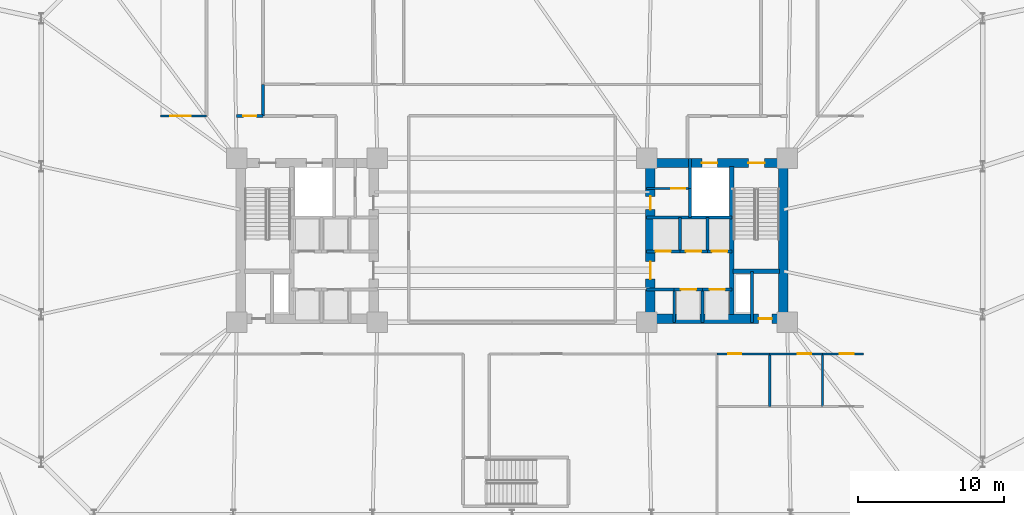
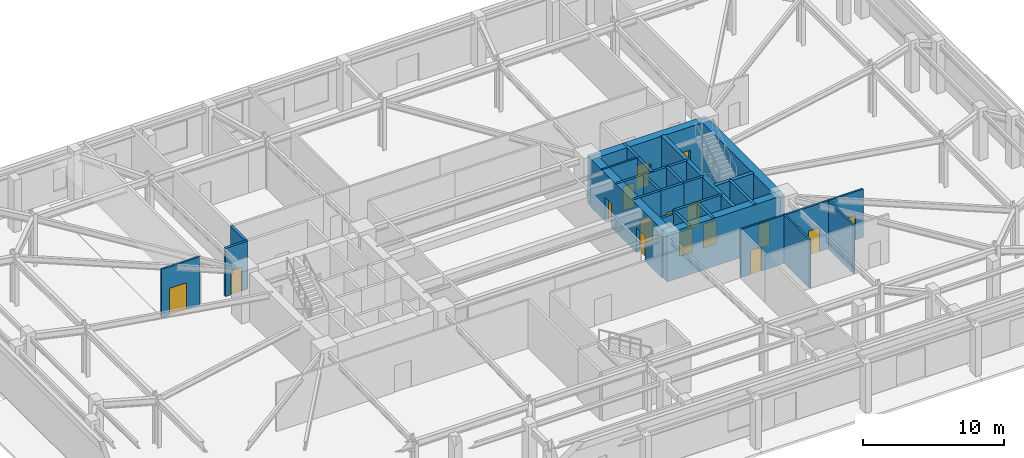
# One storey, part 10 of 18: 29 walls, 16 doors, 16 openings.
"""IFC4 building model written with IfcOpenShell, lengths in metres."""

from ifc_helpers import new_model, si_unit, direction, frame, frame_2d, origin, place, context, subcontext, project, spatial, rectangle, extrude, material, layer, layer_set, type_object, element, fill, save


model = new_model("IFC4")

# Units and contexts
model_context = context("Model", 3, precision=1e-05, world=origin(), true_north=direction((0.0, 1.0)))
body_context = subcontext(model_context, "Body", "Model", "MODEL_VIEW")
ifc_project = project(units=[si_unit("LENGTHUNIT", "METRE"), si_unit("AREAUNIT", "SQUARE_METRE"), si_unit("VOLUMEUNIT", "CUBIC_METRE"), si_unit("PLANEANGLEUNIT", "RADIAN"), si_unit("MASSUNIT", "GRAM", prefix="KILO")], contexts=[model_context])

# Site, building, storey
site_placement = place(None, origin())
site = spatial("IfcSite", under=ifc_project, at=site_placement, CompositionType="ELEMENT")
building_placement = place(site_placement, origin())
building = spatial("IfcBuilding", under=site, at=building_placement, Name="Qobustan Lattice House", CompositionType="ELEMENT")
storey_placement = place(building_placement, origin())
storey = spatial("IfcBuildingStorey", under=building, at=storey_placement, Name="L00", CompositionType="ELEMENT", Elevation=0.0)

# Wall, openings, doors
ifc_material_1 = material(Name="Concrete C60/75", Category="concrete")
ifc_layer_1 = layer(ifc_material_1, 0.639892578125)
ifc_layer_set_1 = layer_set([ifc_layer_1], Name="Concrete C60/75")
wall_type_1 = type_object("IfcWallType", Name="WAL-CORE-640", PredefinedType="SHEAR", material=ifc_layer_set_1)
wall_1_placement = place(storey_placement, frame((9.199951171875, 5.280029296875, 0.0), z_axis=(0.0, 0.0, 1.0), x_axis=(1.0, 0.0, 0.0)))
wall_1 = element("IfcWall", 1, at=wall_1_placement, inside=storey, type_object=wall_type_1, Name="L00 split-core shear wall CE-N", PredefinedType="SHEAR", context=body_context, shape_type="SweptSolid", body=[
    extrude(rectangle(XDim=9.60009765625, YDim=0.639892578125, at=frame_2d((4.800048828125, 0.0))), origin(), (0.0, 0.0, 1.0), 4.169921875),
])
opening_1_placement = place(wall_1_placement, frame((6.949951171875, 0.0, 0.0)))
opening_1 = element("IfcOpeningElement", 2, at=opening_1_placement, cuts=wall_1, Name="Opening SD-01", PredefinedType="OPENING", context=body_context, shape_type="SweptSolid", body=[
    extrude(rectangle(XDim=1.10009765625, YDim=2.14990234375, at=frame_2d((0.550048828125, 1.074951171875))), frame((0.0, 0.329833984375, 0.0), z_axis=(0.0, -1.0, 0.0), x_axis=(1.0, 0.0, 0.0)), (0.0, 0.0, 1.0), 0.659912109375),
])
opening_2_placement = place(wall_1_placement, frame((3.77490234375, 0.0, 0.0)))
opening_2 = element("IfcOpeningElement", 3, at=opening_2_placement, cuts=wall_1, Name="Opening LD-01", PredefinedType="OPENING", context=body_context, shape_type="SweptSolid", body=[
    extrude(rectangle(XDim=1.050048828125, YDim=2.10009765625, at=frame_2d((0.52490234375, 1.050048828125))), frame((0.0, 0.329833984375, 0.0), z_axis=(0.0, -1.0, 0.0), x_axis=(1.0, 0.0, 0.0)), (0.0, 0.0, 1.0), 0.659912109375),
])
ifc_material_2 = material(Name="Persian walnut timber and steel frame door", Category="steel")
door_type_1 = type_object("IfcDoorType", Name="DOR-LIFT-LD-1050x2100", OperationType="NOTDEFINED", PredefinedType="DOOR", material=ifc_material_2)
door_1_placement = place(opening_2_placement, origin())
door_1 = element("IfcDoor", 4, at=door_1_placement, inside=storey, type_object=door_type_1, Name="L00 firefighting lift FF-E landing door", OperationType="DOUBLE_DOOR_SLIDING", OverallHeight=2.10009765625, OverallWidth=1.050048828125, PredefinedType="DOOR", context=body_context, shape_type="SweptSolid", body=[
    extrude(rectangle(XDim=1.050048828125, YDim=2.10009765625, at=frame_2d((0.52490234375, 1.050048828125))), frame((0.0, 0.02490234375, 0.0), z_axis=(0.0, -1.0, 0.0), x_axis=(1.0, 0.0, 0.0)), (0.0, 0.0, 1.0), 0.050048828125),
])
fill(opening_2, door_1)
ifc_material_3 = material(Name="Persian walnut timber and steel frame door", Category="steel")
door_type_2 = type_object("IfcDoorType", Name="DOR-STAIR-FD-1100x2150", OperationType="NOTDEFINED", PredefinedType="DOOR", material=ifc_material_3)
door_2_placement = place(opening_1_placement, origin())
door_2 = element("IfcDoor", 5, at=door_2_placement, inside=storey, type_object=door_type_2, Name="L00 exit stair ST-E1 fire door", OperationType="SINGLE_SWING_RIGHT", OverallHeight=2.14990234375, OverallWidth=1.10009765625, PredefinedType="DOOR", context=body_context, shape_type="SweptSolid", body=[
    extrude(rectangle(XDim=1.10009765625, YDim=2.14990234375, at=frame_2d((0.550048828125, 1.074951171875))), frame((0.0, 0.02490234375, 0.0), z_axis=(0.0, -1.0, 0.0), x_axis=(1.0, 0.0, 0.0)), (0.0, 0.0, 1.0), 0.050048828125),
])
fill(opening_1, door_2)

# Wall, opening, door
wall_2_placement = place(storey_placement, frame((9.199951171875, -5.35009765625, 0.0), z_axis=(0.0, 0.0, 1.0), x_axis=(1.0, 0.0, 0.0)))
wall_2 = element("IfcWall", 6, at=wall_2_placement, inside=storey, type_object=wall_type_1, Name="L00 split-core shear wall CE-S", PredefinedType="SHEAR", context=body_context, shape_type="SweptSolid", body=[
    extrude(rectangle(XDim=9.60009765625, YDim=0.639892578125, at=frame_2d((4.800048828125, 0.0))), origin(), (0.0, 0.0, 1.0), 4.169921875),
])
opening_3_placement = place(wall_2_placement, frame((7.64990234375, 0.0, 0.0)))
opening_3 = element("IfcOpeningElement", 7, at=opening_3_placement, cuts=wall_2, Name="Opening RD-01", PredefinedType="OPENING", context=body_context, shape_type="SweptSolid", body=[
    extrude(rectangle(XDim=0.89990234375, YDim=2.10009765625, at=frame_2d((0.449951171875, 1.050048828125))), frame((0.0, 0.329833984375, 0.0), z_axis=(0.0, -1.0, 0.0), x_axis=(1.0, 0.0, 0.0)), (0.0, 0.0, 1.0), 0.659912109375),
])
ifc_material_4 = material(Name="Persian walnut timber and steel frame door", Category="steel")
door_type_3 = type_object("IfcDoorType", Name="DOR-RISER-FD-900x2100", OperationType="NOTDEFINED", PredefinedType="DOOR", material=ifc_material_4)
door_3_placement = place(opening_3_placement, origin())
door_3 = element("IfcDoor", 8, at=door_3_placement, inside=storey, type_object=door_type_3, Name="L00 core service riser access door E", OperationType="SINGLE_SWING_RIGHT", OverallHeight=2.10009765625, OverallWidth=0.89990234375, PredefinedType="DOOR", context=body_context, shape_type="SweptSolid", body=[
    extrude(rectangle(XDim=0.89990234375, YDim=2.10009765625, at=frame_2d((0.449951171875, 1.050048828125))), frame((0.0, 0.02490234375, 0.0), z_axis=(0.0, -1.0, 0.0), x_axis=(1.0, 0.0, 0.0)), (0.0, 0.0, 1.0), 0.050048828125),
])
fill(opening_3, door_3)

# Wall, openings, doors
wall_3_placement = place(storey_placement, frame((9.449951171875, -5.050048828125, 0.0), z_axis=(0.0, 0.0, 1.0), x_axis=(0.0, 1.0, 0.0)))
wall_3 = element("IfcWall", 9, at=wall_3_placement, inside=storey, type_object=wall_type_1, Name="L00 split-core shear wall CE-W", PredefinedType="SHEAR", context=body_context, shape_type="SweptSolid", body=[
    extrude(rectangle(XDim=10.10009765625, YDim=0.639892578125, at=frame_2d((5.050048828125, 0.0))), origin(), (0.0, 0.0, 1.0), 4.169921875),
])
opening_4_placement = place(wall_3_placement, frame((7.14990234375, 0.0, 0.0)))
opening_4 = element("IfcOpeningElement", 10, at=opening_4_placement, cuts=wall_3, Name="Opening RD-01", PredefinedType="OPENING", context=body_context, shape_type="SweptSolid", body=[
    extrude(rectangle(XDim=0.89990234375, YDim=2.10009765625, at=frame_2d((0.449951171875, 1.050048828125))), frame((0.0, 0.329833984375, 0.0), z_axis=(0.0, -1.0, 0.0), x_axis=(1.0, 0.0, 0.0)), (0.0, 0.0, 1.0), 0.659912109375),
])
opening_5_placement = place(wall_3_placement, frame((2.39990234375, 0.0, 0.0)))
opening_5 = element("IfcOpeningElement", 11, at=opening_5_placement, cuts=wall_3, Name="Opening FD-01", PredefinedType="OPENING", context=body_context, shape_type="SweptSolid", body=[
    extrude(rectangle(XDim=1.199951171875, YDim=2.14990234375, at=frame_2d((0.60009765625, 1.074951171875))), frame((0.0, 0.329833984375, 0.0), z_axis=(0.0, -1.0, 0.0), x_axis=(1.0, 0.0, 0.0)), (0.0, 0.0, 1.0), 0.659912109375),
])
ifc_material_5 = material(Name="Persian walnut timber and steel frame door", Category="steel")
door_type_4 = type_object("IfcDoorType", Name="DOR-LOBBY-FD-1200x2150", OperationType="NOTDEFINED", PredefinedType="DOOR", material=ifc_material_5)
door_4_placement = place(opening_5_placement, origin())
door_4 = element("IfcDoor", 12, at=door_4_placement, inside=storey, type_object=door_type_4, Name="L00 East passenger lift lobby fire door", OperationType="SINGLE_SWING_LEFT", OverallHeight=2.14990234375, OverallWidth=1.199951171875, PredefinedType="DOOR", context=body_context, shape_type="SweptSolid", body=[
    extrude(rectangle(XDim=1.199951171875, YDim=2.14990234375, at=frame_2d((0.60009765625, 1.074951171875))), frame((0.0, 0.02490234375, 0.0), z_axis=(0.0, -1.0, 0.0), x_axis=(1.0, 0.0, 0.0)), (0.0, 0.0, 1.0), 0.050048828125),
])
fill(opening_5, door_4)
door_5_placement = place(opening_4_placement, origin())
door_5 = element("IfcDoor", 13, at=door_5_placement, inside=storey, type_object=door_type_3, Name="L00 Housekeeping utility foyer fire door", OperationType="SINGLE_SWING_RIGHT", OverallHeight=2.10009765625, OverallWidth=0.89990234375, PredefinedType="DOOR", context=body_context, shape_type="SweptSolid", body=[
    extrude(rectangle(XDim=0.89990234375, YDim=2.10009765625, at=frame_2d((0.449951171875, 1.050048828125))), frame((0.0, 0.02490234375, 0.0), z_axis=(0.0, -1.0, 0.0), x_axis=(1.0, 0.0, 0.0)), (0.0, 0.0, 1.0), 0.050048828125),
])
fill(opening_4, door_5)

# Walls
wall_4_placement = place(storey_placement, frame((18.530029296875, -5.050048828125, 0.0), z_axis=(0.0, 0.0, 1.0), x_axis=(0.0, 1.0, 0.0)))
element("IfcWall", 14, at=wall_4_placement, inside=storey, type_object=wall_type_1, Name="L00 split-core shear wall CE-E", PredefinedType="SHEAR", context=body_context, shape_type="SweptSolid", body=[
    extrude(rectangle(XDim=10.10009765625, YDim=0.639892578125, at=frame_2d((5.050048828125, 0.0))), origin(), (0.0, 0.0, 1.0), 4.169921875),
])
ifc_material_6 = material(Name="Concrete C50/60", Category="concrete")
ifc_layer_2 = layer(ifc_material_6, 0.280029296875)
ifc_layer_set_2 = layer_set([ifc_layer_2], Name="Concrete C50/60")
wall_type_2 = type_object("IfcWallType", Name="WAL-CORE-SPINE-280", PredefinedType="SHEAR", material=ifc_layer_set_2)
wall_5_placement = place(storey_placement, frame((15.02001953125, -5.050048828125, 0.0), z_axis=(0.0, 0.0, 1.0), x_axis=(0.0, 1.0, 0.0)))
element("IfcWall", 15, at=wall_5_placement, inside=storey, type_object=wall_type_2, Name="L00 split-core shear wall CE-M", PredefinedType="SHEAR", context=body_context, shape_type="SweptSolid", body=[
    extrude(rectangle(XDim=10.10009765625, YDim=0.300048828125, at=frame_2d((5.050048828125, 0.0))), origin(), (0.0, 0.0, 1.0), 4.169921875),
])
wall_6_placement = place(storey_placement, frame((15.10009765625, -2.110107421875, 0.0), z_axis=(0.0, 0.0, 1.0), x_axis=(1.0, 0.0, 0.0)))
element("IfcWall", 16, at=wall_6_placement, inside=storey, type_object=wall_type_2, Name="L00 split-core shear wall CE-ST", PredefinedType="SHEAR", context=body_context, shape_type="SweptSolid", body=[
    extrude(rectangle(XDim=3.179931640625, YDim=0.300048828125, at=frame_2d((1.58984375, 0.0))), origin(), (0.0, 0.0, 1.0), 4.169921875),
])

# Wall, opening, door
ifc_material_7 = material(Name="Acoustic twin-stud gypsum partition", Category="gypsum")
ifc_layer_3 = layer(ifc_material_7, 0.14990234375)
ifc_layer_set_3 = layer_set([ifc_layer_3], Name="Acoustic twin-stud gypsum partition")
wall_type_3 = type_object("IfcWallType", Name="WAL-PART-150", PredefinedType="PARTITIONING", material=ifc_layer_set_3)
wall_7_placement = place(storey_placement, frame((12.14990234375, 3.550048828125, 0.0), z_axis=(0.0, 0.0, 1.0), x_axis=(-1.0, 0.0, 0.0)))
wall_7 = element("IfcWall", 17, at=wall_7_placement, inside=storey, type_object=wall_type_3, Name="L00 interior partition 25", PredefinedType="PARTITIONING", context=body_context, shape_type="SweptSolid", body=[
    extrude(rectangle(XDim=2.949951171875, YDim=0.14990234375, at=frame_2d((1.47509765625, 0.0))), origin(), (0.0, 0.0, 1.0), 4.169921875),
])
opening_6_placement = place(wall_7_placement, frame((0.324951171875, 0.0, 0.0)))
opening_6 = element("IfcOpeningElement", 18, at=opening_6_placement, cuts=wall_7, Name="Opening ID-01", PredefinedType="OPENING", context=body_context, shape_type="SweptSolid", body=[
    extrude(rectangle(XDim=0.949951171875, YDim=2.10009765625, at=frame_2d((0.47509765625, 1.050048828125))), frame((0.0, 0.0849609375, 0.0), z_axis=(0.0, -1.0, 0.0), x_axis=(1.0, 0.0, 0.0)), (0.0, 0.0, 1.0), 0.169921875),
])
ifc_material_8 = material(Name="Persian walnut timber and steel frame door", Category="steel")
door_type_5 = type_object("IfcDoorType", Name="DOR-ROOM-950x2100", OperationType="NOTDEFINED", PredefinedType="DOOR", material=ifc_material_8)
door_6_placement = place(opening_6_placement, origin())
door_6 = element("IfcDoor", 19, at=door_6_placement, inside=storey, type_object=door_type_5, Name="L00 Housekeeping utility foyer to Cleaner cupboard door", OperationType="SINGLE_SWING_LEFT", OverallHeight=2.10009765625, OverallWidth=0.949951171875, PredefinedType="DOOR", context=body_context, shape_type="SweptSolid", body=[
    extrude(rectangle(XDim=0.949951171875, YDim=2.10009765625, at=frame_2d((0.47509765625, 1.050048828125))), frame((0.0, 0.02490234375, 0.0), z_axis=(0.0, -1.0, 0.0), x_axis=(1.0, 0.0, 0.0)), (0.0, 0.0, 1.0), 0.050048828125),
])
fill(opening_6, door_6)

wall_8_placement = place(storey_placement, frame((24.0, -7.75, 0.0), z_axis=(0.0, 0.0, 1.0), x_axis=(-1.0, 0.0, 0.0)))
wall_8 = element("IfcWall", 20, at=wall_8_placement, inside=storey, type_object=wall_type_3, Name="L00 interior partition 57", PredefinedType="PARTITIONING", context=body_context, shape_type="SweptSolid", body=[
    extrude(rectangle(XDim=2.800048828125, YDim=0.14990234375, at=frame_2d((1.39990234375, 0.0))), origin(), (0.0, 0.0, 1.0), 4.169921875),
])
opening_7_placement = place(wall_8_placement, frame((0.666259765625, 0.0, 0.0)))
opening_7 = element("IfcOpeningElement", 21, at=opening_7_placement, cuts=wall_8, Name="Opening ID-01", PredefinedType="OPENING", context=body_context, shape_type="SweptSolid", body=[
    extrude(rectangle(XDim=0.949951171875, YDim=2.10009765625, at=frame_2d((0.47509765625, 1.050048828125))), frame((0.0, 0.0849609375, 0.0), z_axis=(0.0, -1.0, 0.0), x_axis=(1.0, 0.0, 0.0)), (0.0, 0.0, 1.0), 0.169921875),
])
door_7_placement = place(opening_7_placement, origin())
door_7 = element("IfcDoor", 22, at=door_7_placement, inside=storey, type_object=door_type_5, Name="L00 South-east podium corridor to Janitor supply store door", OperationType="SINGLE_SWING_LEFT", OverallHeight=2.10009765625, OverallWidth=0.949951171875, PredefinedType="DOOR", context=body_context, shape_type="SweptSolid", body=[
    extrude(rectangle(XDim=0.949951171875, YDim=2.10009765625, at=frame_2d((0.47509765625, 1.050048828125))), frame((0.0, 0.02490234375, 0.0), z_axis=(0.0, -1.0, 0.0), x_axis=(1.0, 0.0, 0.0)), (0.0, 0.0, 1.0), 0.050048828125),
])
fill(opening_7, door_7)

wall_9_placement = place(storey_placement, frame((-24.0, 8.5, 0.0), z_axis=(0.0, 0.0, 1.0), x_axis=(1.0, 0.0, 0.0)))
wall_9 = element("IfcWall", 23, at=wall_9_placement, inside=storey, type_object=wall_type_3, Name="L00 interior partition 63", PredefinedType="PARTITIONING", context=body_context, shape_type="SweptSolid", body=[
    extrude(rectangle(XDim=3.14990234375, YDim=0.14990234375, at=frame_2d((1.574951171875, 0.0))), origin(), (0.0, 0.0, 1.0), 4.169921875),
])
opening_8_placement = place(wall_9_placement, frame((0.65380859375, 0.0, 0.0)))
opening_8 = element("IfcOpeningElement", 24, at=opening_8_placement, cuts=wall_9, Name="Opening ID-04", PredefinedType="OPENING", context=body_context, shape_type="SweptSolid", body=[
    extrude(rectangle(XDim=1.39990234375, YDim=2.300048828125, at=frame_2d((0.699951171875, 1.14990234375))), frame((0.0, 0.0849609375, 0.0), z_axis=(0.0, -1.0, 0.0), x_axis=(1.0, 0.0, 0.0)), (0.0, 0.0, 1.0), 0.169921875),
])
ifc_material_9 = material(Name="Persian walnut timber and steel frame door", Category="steel")
door_type_6 = type_object("IfcDoorType", Name="DOR-POD-1400x2300", OperationType="NOTDEFINED", PredefinedType="DOOR", material=ifc_material_9)
door_8_placement = place(opening_8_placement, origin())
door_8 = element("IfcDoor", 25, at=door_8_placement, inside=storey, type_object=door_type_6, Name="L00 West concourse corridor to Parcel concierge room door", OperationType="SINGLE_SWING_LEFT", OverallHeight=2.300048828125, OverallWidth=1.39990234375, PredefinedType="DOOR", context=body_context, shape_type="SweptSolid", body=[
    extrude(rectangle(XDim=1.39990234375, YDim=2.300048828125, at=frame_2d((0.699951171875, 1.14990234375))), frame((0.0, 0.02490234375, 0.0), z_axis=(0.0, -1.0, 0.0), x_axis=(1.0, 0.0, 0.0)), (0.0, 0.0, 1.0), 0.050048828125),
])
fill(opening_8, door_8)

ifc_material_10 = material(Name="Two-hour gypsum fireboard acoustic partition", Category="gypsum")
ifc_layer_4 = layer(ifc_material_10, 0.199951171875)
ifc_layer_set_4 = layer_set([ifc_layer_4], Name="Two-hour gypsum fireboard acoustic partition")
wall_type_4 = type_object("IfcWallType", Name="WAL-PROT-200", PredefinedType="PARTITIONING", material=ifc_layer_set_4)
wall_10_placement = place(storey_placement, frame((-17.0, 8.5, 0.0), z_axis=(0.0, 0.0, 1.0), x_axis=(-1.0, 0.0, 0.0)))
wall_10 = element("IfcWall", 26, at=wall_10_placement, inside=storey, type_object=wall_type_4, Name="L00 interior partition 3", PredefinedType="PARTITIONING", context=body_context, shape_type="SweptSolid", body=[
    extrude(rectangle(XDim=1.800048828125, YDim=0.199951171875, at=frame_2d((0.89990234375, 0.0))), origin(), (0.0, 0.0, 1.0), 4.169921875),
])
opening_9_placement = place(wall_10_placement, frame((0.449951171875, 0.0, 0.0)))
opening_9 = element("IfcOpeningElement", 27, at=opening_9_placement, cuts=wall_10, Name="Opening RD-01", PredefinedType="OPENING", context=body_context, shape_type="SweptSolid", body=[
    extrude(rectangle(XDim=0.89990234375, YDim=2.10009765625, at=frame_2d((0.449951171875, 1.050048828125))), frame((0.0, 0.10986328125, 0.0), z_axis=(0.0, -1.0, 0.0), x_axis=(1.0, 0.0, 0.0)), (0.0, 0.0, 1.0), 0.219970703125),
])
door_9_placement = place(opening_9_placement, origin())
door_9 = element("IfcDoor", 28, at=door_9_placement, inside=storey, type_object=door_type_3, Name="L00 West firefighting lift lobby to West protected exit passage door", OperationType="SINGLE_SWING_RIGHT", OverallHeight=2.10009765625, OverallWidth=0.89990234375, PredefinedType="DOOR", context=body_context, shape_type="SweptSolid", body=[
    extrude(rectangle(XDim=0.89990234375, YDim=2.10009765625, at=frame_2d((0.449951171875, 1.050048828125))), frame((0.0, 0.02490234375, 0.0), z_axis=(0.0, -1.0, 0.0), x_axis=(1.0, 0.0, 0.0)), (0.0, 0.0, 1.0), 0.050048828125),
])
fill(opening_9, door_9)

# Walls
wall_11_placement = place(storey_placement, frame((-17.0, 10.64990234375, 0.0), z_axis=(0.0, 0.0, 1.0), x_axis=(0.0, -1.0, 0.0)))
element("IfcWall", 29, at=wall_11_placement, inside=storey, type_object=wall_type_4, Name="L00 interior partition 38", PredefinedType="PARTITIONING", context=body_context, shape_type="SweptSolid", body=[
    extrude(rectangle(XDim=2.14990234375, YDim=0.199951171875, at=frame_2d((1.074951171875, 0.0))), origin(), (0.0, 0.0, 1.0), 4.169921875),
])
ifc_material_11 = material(Name="Concrete C40/50", Category="concrete")
ifc_layer_5 = layer(ifc_material_11, 0.199951171875)
ifc_layer_set_5 = layer_set([ifc_layer_5], Name="Concrete C40/50")
wall_type_5 = type_object("IfcWallType", Name="WAL-SHAFT-200", PredefinedType="PARTITIONING", material=ifc_layer_set_5)
wall_12_placement = place(storey_placement, frame((16.39990234375, -2.110107421875, 0.0), z_axis=(0.0, 0.0, 1.0), x_axis=(0.0, -1.0, 0.0)))
element("IfcWall", 30, at=wall_12_placement, inside=storey, type_object=wall_type_5, Name="L00 interior partition 19", PredefinedType="PARTITIONING", context=body_context, shape_type="SweptSolid", body=[
    extrude(rectangle(XDim=3.489990234375, YDim=0.199951171875, at=frame_2d((1.7451171875, 0.0))), origin(), (0.0, 0.0, 1.0), 4.169921875),
])
wall_13_placement = place(storey_placement, frame((12.14990234375, 3.550048828125, 0.0), z_axis=(0.0, 0.0, 1.0), x_axis=(0.0, -1.0, 0.0)))
element("IfcWall", 31, at=wall_13_placement, inside=storey, type_object=wall_type_5, Name="L00 interior partition 20", PredefinedType="PARTITIONING", context=body_context, shape_type="SweptSolid", body=[
    extrude(rectangle(XDim=2.0, YDim=0.199951171875, at=frame_2d((1.0, 0.0))), origin(), (0.0, 0.0, 1.0), 4.169921875),
])
wall_14_placement = place(storey_placement, frame((12.14990234375, 5.60009765625, 0.0), z_axis=(0.0, 0.0, 1.0), x_axis=(0.0, -1.0, 0.0)))
element("IfcWall", 32, at=wall_14_placement, inside=storey, type_object=wall_type_5, Name="L00 interior partition 21", PredefinedType="PARTITIONING", context=body_context, shape_type="SweptSolid", body=[
    extrude(rectangle(XDim=2.050048828125, YDim=0.199951171875, at=frame_2d((1.02490234375, 0.0))), origin(), (0.0, 0.0, 1.0), 4.169921875),
])
wall_15_placement = place(storey_placement, frame((9.199951171875, -3.35009765625, 0.0), z_axis=(0.0, 0.0, 1.0), x_axis=(1.0, 0.0, 0.0)))
element("IfcWall", 33, at=wall_15_placement, inside=storey, type_object=wall_type_5, Name="L00 interior partition 27", PredefinedType="PARTITIONING", context=body_context, shape_type="SweptSolid", body=[
    extrude(rectangle(XDim=1.880126953125, YDim=0.199951171875, at=frame_2d((0.93994140625, 0.0))), origin(), (0.0, 0.0, 1.0), 3.885009765625),
])

# Wall, opening, door
wall_16_placement = place(storey_placement, frame((11.080078125, -3.35009765625, 0.0), z_axis=(0.0, 0.0, 1.0), x_axis=(1.0, 0.0, 0.0)))
wall_16 = element("IfcWall", 34, at=wall_16_placement, inside=storey, type_object=wall_type_5, Name="L00 interior partition 28", PredefinedType="PARTITIONING", context=body_context, shape_type="SweptSolid", body=[
    extrude(rectangle(XDim=1.93994140625, YDim=0.199951171875, at=frame_2d((0.969970703125, 0.0))), origin(), (0.0, 0.0, 1.0), 4.169921875),
])
opening_10_placement = place(wall_16_placement, frame((0.445068359375, 0.0, 0.0)))
opening_10 = element("IfcOpeningElement", 35, at=opening_10_placement, cuts=wall_16, Name="Opening LD-01", PredefinedType="OPENING", context=body_context, shape_type="SweptSolid", body=[
    extrude(rectangle(XDim=1.050048828125, YDim=2.10009765625, at=frame_2d((0.52490234375, 1.050048828125))), frame((0.0, 0.10986328125, 0.0), z_axis=(0.0, -1.0, 0.0), x_axis=(1.0, 0.0, 0.0)), (0.0, 0.0, 1.0), 0.219970703125),
])
door_10_placement = place(opening_10_placement, origin())
door_10 = element("IfcDoor", 36, at=door_10_placement, inside=storey, type_object=door_type_1, Name="L00 lift landing door", OperationType="DOUBLE_DOOR_SLIDING", OverallHeight=2.10009765625, OverallWidth=1.050048828125, PredefinedType="DOOR", context=body_context, shape_type="SweptSolid", body=[
    extrude(rectangle(XDim=1.050048828125, YDim=2.10009765625, at=frame_2d((0.52490234375, 1.050048828125))), frame((0.0, 0.02490234375, 0.0), z_axis=(0.0, -1.0, 0.0), x_axis=(1.0, 0.0, 0.0)), (0.0, 0.0, 1.0), 0.050048828125),
])
fill(opening_10, door_10)

wall_17_placement = place(storey_placement, frame((13.02001953125, -3.35009765625, 0.0), z_axis=(0.0, 0.0, 1.0), x_axis=(1.0, 0.0, 0.0)))
wall_17 = element("IfcWall", 37, at=wall_17_placement, inside=storey, type_object=wall_type_5, Name="L00 interior partition 29", PredefinedType="PARTITIONING", context=body_context, shape_type="SweptSolid", body=[
    extrude(rectangle(XDim=2.0, YDim=0.199951171875, at=frame_2d((1.0, 0.0))), origin(), (0.0, 0.0, 1.0), 4.169921875),
])
opening_11_placement = place(wall_17_placement, frame((0.47509765625, 0.0, 0.0)))
opening_11 = element("IfcOpeningElement", 38, at=opening_11_placement, cuts=wall_17, Name="Opening LD-01", PredefinedType="OPENING", context=body_context, shape_type="SweptSolid", body=[
    extrude(rectangle(XDim=1.050048828125, YDim=2.10009765625, at=frame_2d((0.52490234375, 1.050048828125))), frame((0.0, 0.10986328125, 0.0), z_axis=(0.0, -1.0, 0.0), x_axis=(1.0, 0.0, 0.0)), (0.0, 0.0, 1.0), 0.219970703125),
])
door_11_placement = place(opening_11_placement, origin())
door_11 = element("IfcDoor", 39, at=door_11_placement, inside=storey, type_object=door_type_1, Name="L00 lift landing door", OperationType="DOUBLE_DOOR_SLIDING", OverallHeight=2.10009765625, OverallWidth=1.050048828125, PredefinedType="DOOR", context=body_context, shape_type="SweptSolid", body=[
    extrude(rectangle(XDim=1.050048828125, YDim=2.10009765625, at=frame_2d((0.52490234375, 1.050048828125))), frame((0.0, 0.02490234375, 0.0), z_axis=(0.0, -1.0, 0.0), x_axis=(1.0, 0.0, 0.0)), (0.0, 0.0, 1.0), 0.050048828125),
])
fill(opening_11, door_11)

wall_18_placement = place(storey_placement, frame((11.4599609375, -0.75, 0.0), z_axis=(0.0, 0.0, 1.0), x_axis=(-1.0, 0.0, 0.0)))
wall_18 = element("IfcWall", 40, at=wall_18_placement, inside=storey, type_object=wall_type_5, Name="L00 interior partition 30", PredefinedType="PARTITIONING", context=body_context, shape_type="SweptSolid", body=[
    extrude(rectangle(XDim=2.260009765625, YDim=0.199951171875, at=frame_2d((1.1298828125, 0.0))), origin(), (0.0, 0.0, 1.0), 4.169921875),
])
opening_12_placement = place(wall_18_placement, frame((0.60498046875, 0.0, 0.0)))
opening_12 = element("IfcOpeningElement", 41, at=opening_12_placement, cuts=wall_18, Name="Opening LD-01", PredefinedType="OPENING", context=body_context, shape_type="SweptSolid", body=[
    extrude(rectangle(XDim=1.050048828125, YDim=2.10009765625, at=frame_2d((0.52490234375, 1.050048828125))), frame((0.0, 0.10986328125, 0.0), z_axis=(0.0, -1.0, 0.0), x_axis=(1.0, 0.0, 0.0)), (0.0, 0.0, 1.0), 0.219970703125),
])
door_12_placement = place(opening_12_placement, origin())
door_12 = element("IfcDoor", 42, at=door_12_placement, inside=storey, type_object=door_type_1, Name="L00 lift landing door", OperationType="DOUBLE_DOOR_SLIDING", OverallHeight=2.10009765625, OverallWidth=1.050048828125, PredefinedType="DOOR", context=body_context, shape_type="SweptSolid", body=[
    extrude(rectangle(XDim=1.050048828125, YDim=2.10009765625, at=frame_2d((0.52490234375, 1.050048828125))), frame((0.0, 0.02490234375, 0.0), z_axis=(0.0, -1.0, 0.0), x_axis=(1.0, 0.0, 0.0)), (0.0, 0.0, 1.0), 0.050048828125),
])
fill(opening_12, door_12)

wall_19_placement = place(storey_placement, frame((13.340087890625, -0.75, 0.0), z_axis=(0.0, 0.0, 1.0), x_axis=(-1.0, 0.0, 0.0)))
wall_19 = element("IfcWall", 43, at=wall_19_placement, inside=storey, type_object=wall_type_5, Name="L00 interior partition 31", PredefinedType="PARTITIONING", context=body_context, shape_type="SweptSolid", body=[
    extrude(rectangle(XDim=1.880126953125, YDim=0.199951171875, at=frame_2d((0.93994140625, 0.0))), origin(), (0.0, 0.0, 1.0), 4.169921875),
])
opening_13_placement = place(wall_19_placement, frame((0.4150390625, 0.0, 0.0)))
opening_13 = element("IfcOpeningElement", 44, at=opening_13_placement, cuts=wall_19, Name="Opening LD-01", PredefinedType="OPENING", context=body_context, shape_type="SweptSolid", body=[
    extrude(rectangle(XDim=1.050048828125, YDim=2.10009765625, at=frame_2d((0.52490234375, 1.050048828125))), frame((0.0, 0.10986328125, 0.0), z_axis=(0.0, -1.0, 0.0), x_axis=(1.0, 0.0, 0.0)), (0.0, 0.0, 1.0), 0.219970703125),
])
door_13_placement = place(opening_13_placement, origin())
door_13 = element("IfcDoor", 45, at=door_13_placement, inside=storey, type_object=door_type_1, Name="L00 lift landing door", OperationType="DOUBLE_DOOR_SLIDING", OverallHeight=2.10009765625, OverallWidth=1.050048828125, PredefinedType="DOOR", context=body_context, shape_type="SweptSolid", body=[
    extrude(rectangle(XDim=1.050048828125, YDim=2.10009765625, at=frame_2d((0.52490234375, 1.050048828125))), frame((0.0, 0.02490234375, 0.0), z_axis=(0.0, -1.0, 0.0), x_axis=(1.0, 0.0, 0.0)), (0.0, 0.0, 1.0), 0.050048828125),
])
fill(opening_13, door_13)

wall_20_placement = place(storey_placement, frame((15.02001953125, -0.75, 0.0), z_axis=(0.0, 0.0, 1.0), x_axis=(-1.0, 0.0, 0.0)))
wall_20 = element("IfcWall", 46, at=wall_20_placement, inside=storey, type_object=wall_type_5, Name="L00 interior partition 32", PredefinedType="PARTITIONING", context=body_context, shape_type="SweptSolid", body=[
    extrude(rectangle(XDim=1.679931640625, YDim=0.199951171875, at=frame_2d((0.83984375, 0.0))), origin(), (0.0, 0.0, 1.0), 4.169921875),
])
opening_14_placement = place(wall_20_placement, frame((0.31494140625, 0.0, 0.0)))
opening_14 = element("IfcOpeningElement", 47, at=opening_14_placement, cuts=wall_20, Name="Opening LD-01", PredefinedType="OPENING", context=body_context, shape_type="SweptSolid", body=[
    extrude(rectangle(XDim=1.050048828125, YDim=2.10009765625, at=frame_2d((0.52490234375, 1.050048828125))), frame((0.0, 0.10986328125, 0.0), z_axis=(0.0, -1.0, 0.0), x_axis=(1.0, 0.0, 0.0)), (0.0, 0.0, 1.0), 0.219970703125),
])
door_14_placement = place(opening_14_placement, origin())
door_14 = element("IfcDoor", 48, at=door_14_placement, inside=storey, type_object=door_type_1, Name="L00 lift landing door", OperationType="DOUBLE_DOOR_SLIDING", OverallHeight=2.10009765625, OverallWidth=1.050048828125, PredefinedType="DOOR", context=body_context, shape_type="SweptSolid", body=[
    extrude(rectangle(XDim=1.050048828125, YDim=2.10009765625, at=frame_2d((0.52490234375, 1.050048828125))), frame((0.0, 0.02490234375, 0.0), z_axis=(0.0, -1.0, 0.0), x_axis=(1.0, 0.0, 0.0)), (0.0, 0.0, 1.0), 0.050048828125),
])
fill(opening_14, door_14)

# Walls
for number, where, z_axis, x_axis, name in (
    (49, (11.080078125, -5.60009765625, 0.0), (0.0, 0.0, 1.0), (0.0, 1.0, 0.0), "L00 interior partition 34"),
    (50, (13.02001953125, -5.60009765625, 0.0), (0.0, 0.0, 1.0), (0.0, 1.0, 0.0), "L00 interior partition 35"),
):
    element("IfcWall", number, at=place(storey_placement, frame(where, z_axis=z_axis, x_axis=x_axis)), inside=storey, type_object=wall_type_5, Name=name, PredefinedType="PARTITIONING", context=body_context, shape_type="SweptSolid", body=[
        extrude(rectangle(XDim=2.25, YDim=0.199951171875, at=frame_2d((1.125, 0.0))), origin(), (0.0, 0.0, 1.0), 4.169921875),
    ])
for number, where, z_axis, x_axis, name in (
    (51, (11.4599609375, -0.75, 0.0), (0.0, 0.0, 1.0), (0.0, 1.0, 0.0), "L00 interior partition 36"),
    (52, (13.340087890625, -0.75, 0.0), (0.0, 0.0, 1.0), (0.0, 1.0, 0.0), "L00 interior partition 37"),
):
    element("IfcWall", number, at=place(storey_placement, frame(where, z_axis=z_axis, x_axis=x_axis)), inside=storey, type_object=wall_type_5, Name=name, PredefinedType="PARTITIONING", context=body_context, shape_type="SweptSolid", body=[
        extrude(rectangle(XDim=2.300048828125, YDim=0.199951171875, at=frame_2d((1.14990234375, 0.0))), origin(), (0.0, 0.0, 1.0), 4.169921875),
    ])
wall_21_placement = place(storey_placement, frame((9.199951171875, 1.550048828125, 0.0), z_axis=(0.0, 0.0, 1.0), x_axis=(1.0, 0.0, 0.0)))
element("IfcWall", 53, at=wall_21_placement, inside=storey, type_object=wall_type_5, Name="L00 interior partition 79", PredefinedType="PARTITIONING", context=body_context, shape_type="SweptSolid", body=[
    extrude(rectangle(XDim=5.820068359375, YDim=0.199951171875, at=frame_2d((2.91015625, 0.0))), origin(), (0.0, 0.0, 1.0), 4.169921875),
])

# Wall, opening, door
ifc_material_12 = material(Name="Moisture-resistant acoustic plumbing wall", Category="gypsum")
ifc_layer_6 = layer(ifc_material_12, 0.14990234375)
ifc_layer_set_6 = layer_set([ifc_layer_6], Name="Moisture-resistant acoustic plumbing wall")
wall_type_6 = type_object("IfcWallType", Name="WAL-WET-150", PredefinedType="PLUMBINGWALL", material=ifc_layer_set_6)
wall_22_placement = place(storey_placement, frame((17.60009765625, -7.75, 0.0), z_axis=(0.0, 0.0, 1.0), x_axis=(-1.0, 0.0, 0.0)))
wall_22 = element("IfcWall", 54, at=wall_22_placement, inside=storey, type_object=wall_type_6, Name="L00 interior partition 55", PredefinedType="PLUMBINGWALL", context=body_context, shape_type="SweptSolid", body=[
    extrude(rectangle(XDim=3.60009765625, YDim=0.14990234375, at=frame_2d((1.800048828125, 0.0))), origin(), (0.0, 0.0, 1.0), 4.169921875),
])
opening_15_placement = place(wall_22_placement, frame((1.927490234375, 0.0, 0.0)))
opening_15 = element("IfcOpeningElement", 55, at=opening_15_placement, cuts=wall_22, Name="Opening WD-01", PredefinedType="OPENING", context=body_context, shape_type="SweptSolid", body=[
    extrude(rectangle(XDim=0.89990234375, YDim=2.10009765625, at=frame_2d((0.449951171875, 1.050048828125))), frame((0.0, 0.0849609375, 0.0), z_axis=(0.0, -1.0, 0.0), x_axis=(1.0, 0.0, 0.0)), (0.0, 0.0, 1.0), 0.169921875),
])
ifc_material_13 = material(Name="Persian walnut timber and steel frame door", Category="steel")
door_type_7 = type_object("IfcDoorType", Name="DOR-WET-900x2100", OperationType="NOTDEFINED", PredefinedType="DOOR", material=ifc_material_13)
door_15_placement = place(opening_15_placement, origin())
door_15 = element("IfcDoor", 56, at=door_15_placement, inside=storey, type_object=door_type_7, Name="L00 South-east podium corridor to Public WC door", OperationType="SINGLE_SWING_LEFT", OverallHeight=2.10009765625, OverallWidth=0.89990234375, PredefinedType="DOOR", context=body_context, shape_type="SweptSolid", body=[
    extrude(rectangle(XDim=0.89990234375, YDim=2.10009765625, at=frame_2d((0.449951171875, 1.050048828125))), frame((0.0, 0.02490234375, 0.0), z_axis=(0.0, -1.0, 0.0), x_axis=(1.0, 0.0, 0.0)), (0.0, 0.0, 1.0), 0.050048828125),
])
fill(opening_15, door_15)

wall_23_placement = place(storey_placement, frame((21.199951171875, -7.75, 0.0), z_axis=(0.0, 0.0, 1.0), x_axis=(-1.0, 0.0, 0.0)))
wall_23 = element("IfcWall", 57, at=wall_23_placement, inside=storey, type_object=wall_type_6, Name="L00 interior partition 56", PredefinedType="PLUMBINGWALL", context=body_context, shape_type="SweptSolid", body=[
    extrude(rectangle(XDim=3.599853515625, YDim=0.14990234375, at=frame_2d((1.7998046875, 0.0))), origin(), (0.0, 0.0, 1.0), 4.169921875),
])
opening_16_placement = place(wall_23_placement, frame((0.7724609375, 0.0, 0.0)))
opening_16 = element("IfcOpeningElement", 58, at=opening_16_placement, cuts=wall_23, Name="Opening WD-01", PredefinedType="OPENING", context=body_context, shape_type="SweptSolid", body=[
    extrude(rectangle(XDim=0.89990234375, YDim=2.10009765625, at=frame_2d((0.449951171875, 1.050048828125))), frame((0.0, 0.0849609375, 0.0), z_axis=(0.0, -1.0, 0.0), x_axis=(1.0, 0.0, 0.0)), (0.0, 0.0, 1.0), 0.169921875),
])
door_16_placement = place(opening_16_placement, origin())
door_16 = element("IfcDoor", 59, at=door_16_placement, inside=storey, type_object=door_type_7, Name="L00 South-east podium corridor to Accessible WC door", OperationType="SINGLE_SWING_RIGHT", OverallHeight=2.10009765625, OverallWidth=0.89990234375, PredefinedType="DOOR", context=body_context, shape_type="SweptSolid", body=[
    extrude(rectangle(XDim=0.89990234375, YDim=2.10009765625, at=frame_2d((0.449951171875, 1.050048828125))), frame((0.0, 0.02490234375, 0.0), z_axis=(0.0, -1.0, 0.0), x_axis=(1.0, 0.0, 0.0)), (0.0, 0.0, 1.0), 0.050048828125),
])
fill(opening_16, door_16)

# Walls
for number, where, z_axis, x_axis, name in (
    (60, (17.60009765625, -7.75, 0.0), (0.0, 0.0, 1.0), (0.0, -1.0, 0.0), "L00 interior partition 73"),
    (61, (21.199951171875, -7.75, 0.0), (0.0, 0.0, 1.0), (0.0, -1.0, 0.0), "L00 interior partition 75"),
):
    element("IfcWall", number, at=place(storey_placement, frame(where, z_axis=z_axis, x_axis=x_axis)), inside=storey, type_object=wall_type_6, Name=name, PredefinedType="PLUMBINGWALL", context=body_context, shape_type="SweptSolid", body=[
        extrude(rectangle(XDim=3.60009765625, YDim=0.14990234375, at=frame_2d((1.800048828125, 0.0))), origin(), (0.0, 0.0, 1.0), 4.169921875),
    ])

save(model, "model.ifc")
